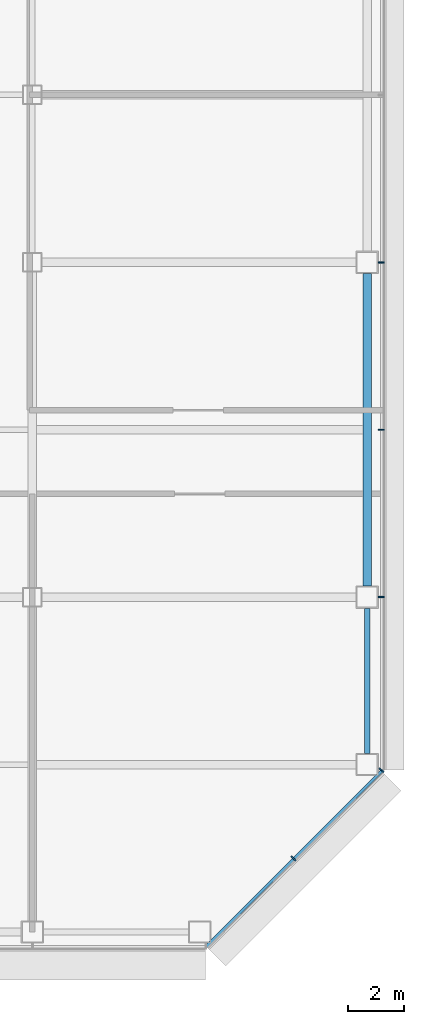
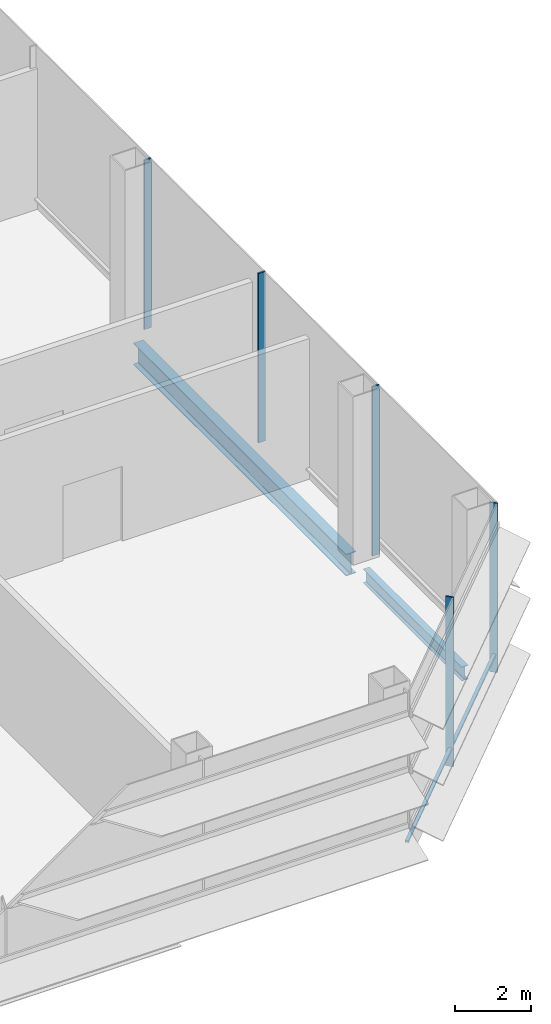
# One storey, part 12 of 23: 6 members, 2 beams, 2 elements without a shape of their own.
"""IFC4 building model written with IfcOpenShell, lengths in metres."""

from ifc_helpers import new_model, si_unit, direction, frame, origin, origin_2d, place, context, subcontext, project, spatial, rectangle, i_section, extrude, material, material_profile, profile_set, type_object, element, aggregate, save


model = new_model("IFC4")

# Units and contexts
model_context = context("Model", 3, precision=1e-05, world=origin(), true_north=direction((0.0, 1.0)))
body_context = subcontext(model_context, "Body", "Model", "MODEL_VIEW")
ifc_project = project(units=[si_unit("LENGTHUNIT", "METRE"), si_unit("AREAUNIT", "SQUARE_METRE"), si_unit("VOLUMEUNIT", "CUBIC_METRE"), si_unit("PLANEANGLEUNIT", "RADIAN"), si_unit("MASSUNIT", "GRAM", prefix="KILO")], contexts=[model_context])

# Site, building, storey
site_placement = place(None, origin())
site = spatial("IfcSite", under=ifc_project, at=site_placement, CompositionType="ELEMENT")
building_placement = place(site_placement, origin())
building = spatial("IfcBuilding", under=site, at=building_placement, Name="Sorahane Residences", CompositionType="ELEMENT")
storey_placement = place(building_placement, frame((0.0, 0.0, 114.199951171875)))
storey = spatial("IfcBuildingStorey", under=building, at=storey_placement, Name="L25", CompositionType="ELEMENT", Elevation=114.199951171875)

# Curtain wall, members
ifc_material_1 = material(Name="Dark low-e glass and black anodised aluminium", Category="aluminium")
curtain_wall_type = type_object("IfcCurtainWallType", Name="Curtain wall CW-4 Sky floor frameless wall", PredefinedType="NOTDEFINED", material=ifc_material_1)
curtain_wall_1_placement = place(storey_placement, origin())
curtain_wall_1 = element("IfcCurtainWall", 1, at=curtain_wall_1_placement, inside=storey, type_object=curtain_wall_type, Name="CW-4 curtain wall L25 SE1", PredefinedType="NOTDEFINED")
ifc_material_2 = material(Name="Black anodised aluminium", Category="aluminium")
ifc_material_profile_1 = material_profile(ifc_material_2, rectangle(XDim=0.219970703125, YDim=0.050048828125, at=origin_2d()), Name="Curtain wall mullion CW-4 black anodised aluminium 50x220")
ifc_profile_set_1 = profile_set([ifc_material_profile_1], Name="Black anodised aluminium")
member_type_1 = type_object("IfcMemberType", Name="Curtain wall mullion CW-4 black anodised aluminium 50x220", PredefinedType="MULLION", material=ifc_profile_set_1)
member_1_placement = place(storey_placement, frame((57.360595703125, 2.639404296875, -0.219970703125), z_axis=(0.0, 0.0, 1.0), x_axis=(0.707106781187, -0.707106781187, 0.0)))
member_1 = element("IfcMember", 2, at=member_1_placement, type_object=member_type_1, Name="CW-4 mullion L25 SE1.2", PredefinedType="MULLION", context=body_context, shape_type="SweptSolid", body=[
    extrude(rectangle(XDim=0.219970703125, YDim=0.050048828125, at=origin_2d()), origin(), (0.0, 0.0, 1.0), 5.43994140625),
])
member_2_placement = place(storey_placement, frame((60.518798828125, 5.79736328125, -0.219970703125), z_axis=(0.0, 0.0, 1.0), x_axis=(0.707106781187, -0.707106781187, 0.0)))
member_2 = element("IfcMember", 3, at=member_2_placement, type_object=member_type_1, Name="CW-4 mullion L25 SE1.3", PredefinedType="MULLION", context=body_context, shape_type="SweptSolid", body=[
    extrude(rectangle(XDim=0.219970703125, YDim=0.050048828125, at=origin_2d()), origin(), (0.0, 0.0, 1.0), 5.43994140625),
])

curtain_wall_2_placement = place(storey_placement, origin())
curtain_wall_2 = element("IfcCurtainWall", 4, at=curtain_wall_2_placement, inside=storey, type_object=curtain_wall_type, Name="CW-4 curtain wall L25 E1", PredefinedType="NOTDEFINED")
member_3_placement = place(storey_placement, frame((60.510009765625, 12.0, -0.219970703125), z_axis=(0.0, 0.0, 1.0), x_axis=(1.0, 0.0, 0.0)))
member_3 = element("IfcMember", 5, at=member_3_placement, type_object=member_type_1, Name="CW-4 mullion L25 E1.2", PredefinedType="MULLION", context=body_context, shape_type="SweptSolid", body=[
    extrude(rectangle(XDim=0.219970703125, YDim=0.050048828125, at=origin_2d()), origin(), (0.0, 0.0, 1.0), 5.43994140625),
])
member_4_placement = place(storey_placement, frame((60.510009765625, 18.0, -0.219970703125), z_axis=(0.0, 0.0, 1.0), x_axis=(1.0, 0.0, 0.0)))
member_4 = element("IfcMember", 6, at=member_4_placement, type_object=member_type_1, Name="CW-4 mullion L25 E1.3", PredefinedType="MULLION", context=body_context, shape_type="SweptSolid", body=[
    extrude(rectangle(XDim=0.219970703125, YDim=0.050048828125, at=origin_2d()), origin(), (0.0, 0.0, 1.0), 5.43994140625),
])
member_5_placement = place(storey_placement, frame((60.510009765625, 24.0, -0.219970703125), z_axis=(0.0, 0.0, 1.0), x_axis=(1.0, 0.0, 0.0)))
member_5 = element("IfcMember", 7, at=member_5_placement, type_object=member_type_1, Name="CW-4 mullion L25 E1.4", PredefinedType="MULLION", context=body_context, shape_type="SweptSolid", body=[
    extrude(rectangle(XDim=0.219970703125, YDim=0.050048828125, at=origin_2d()), origin(), (0.0, 0.0, 1.0), 5.43994140625),
])
aggregate(curtain_wall_2, [member_3, member_4, member_5])

# Member
ifc_material_3 = material(Name="Black anodised aluminium", Category="aluminium")
ifc_material_profile_2 = material_profile(ifc_material_3, rectangle(XDim=0.10009765625, YDim=0.06005859375, at=origin_2d()), Name="Curtain wall transom CW-4 black anodised aluminium 60x100")
ifc_profile_set_2 = profile_set([ifc_material_profile_2], Name="Black anodised aluminium")
member_type_2 = type_object("IfcMemberType", Name="Curtain wall transom CW-4 black anodised aluminium 60x100", PredefinedType="USERDEFINED", material=ifc_profile_set_2)
member_6_placement = place(storey_placement, frame((54.234375, -0.51513671875, 0.35009765625), z_axis=(0.707106781187, 0.707106781187, 0.0), x_axis=(-0.707106781187, 0.707106781187, 0.0)))
member_6 = element("IfcMember", 8, at=member_6_placement, type_object=member_type_2, Name="CW-4 transom L25 SE1", ObjectType="TRANSOM", PredefinedType="USERDEFINED", context=body_context, shape_type="SweptSolid", body=[
    extrude(rectangle(XDim=0.10009765625, YDim=0.06005859375, at=origin_2d()), origin(), (0.0, 0.0, 1.0), 8.88232421875),
])

aggregate(curtain_wall_1, [member_1, member_2, member_6])

# Beams
ifc_material_4 = material(Name="Steel Q355B", Category="steel")
ifc_material_profile_3 = material_profile(ifc_material_4, i_section(OverallWidth=0.199951171875, OverallDepth=0.449951171875, WebThickness=0.009033203125, FlangeThickness=0.013916015625, FilletRadius=0.02001953125, at=origin_2d()), Name="HN 450x200x9x14")
ifc_profile_set_3 = profile_set([ifc_material_profile_3], Name="Steel Q355B")
beam_type_1 = type_object("IfcBeamType", Name="Steel floor beam HN 450x200x9x14 Q355B", PredefinedType="BEAM", material=ifc_profile_set_3)
beam_1_placement = place(storey_placement, frame((60.0, 6.39990234375, -0.445068359375), z_axis=(0.0, 1.0, 0.0), x_axis=(-1.0, 0.0, 0.0)))
element("IfcBeam", 9, at=beam_1_placement, inside=storey, type_object=beam_type_1, Name="Beam L25 064", PredefinedType="BEAM", context=body_context, shape_type="SweptSolid", body=[
    extrude(i_section(OverallWidth=0.199951171875, OverallDepth=0.449951171875, WebThickness=0.009033203125, FlangeThickness=0.013916015625, FilletRadius=0.02001953125, at=origin_2d()), origin(), (0.0, 0.0, 1.0), 5.2001953125),
])
ifc_material_5 = material(Name="Steel Q355B", Category="steel")
ifc_material_profile_4 = material_profile(ifc_material_5, i_section(OverallWidth=0.300048828125, OverallDepth=0.699951171875, WebThickness=0.012939453125, FlangeThickness=0.02392578125, FilletRadius=0.028076171875, at=origin_2d()), Name="HN 700x300x13x24")
ifc_profile_set_4 = profile_set([ifc_material_profile_4], Name="Steel Q355B")
beam_type_2 = type_object("IfcBeamType", Name="Steel floor beam HN 700x300x13x24 Q355B", PredefinedType="BEAM", material=ifc_profile_set_4)
beam_2_placement = place(storey_placement, frame((60.0, 12.39990234375, -0.570068359375), z_axis=(0.0, 1.0, 0.0), x_axis=(-1.0, 0.0, 0.0)))
element("IfcBeam", 10, at=beam_2_placement, inside=storey, type_object=beam_type_2, Name="Beam L25 065", PredefinedType="BEAM", context=body_context, shape_type="SweptSolid", body=[
    extrude(i_section(OverallWidth=0.300048828125, OverallDepth=0.699951171875, WebThickness=0.012939453125, FlangeThickness=0.02392578125, FilletRadius=0.028076171875, at=origin_2d()), origin(), (0.0, 0.0, 1.0), 11.2001953125),
])

save(model, "model.ifc")
